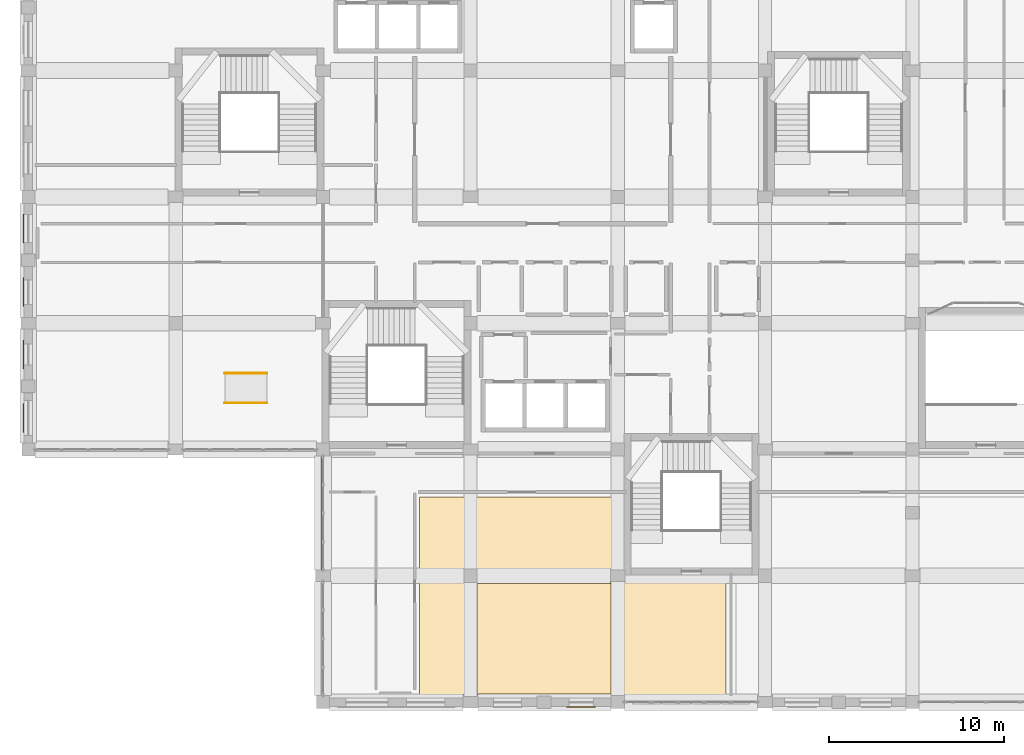
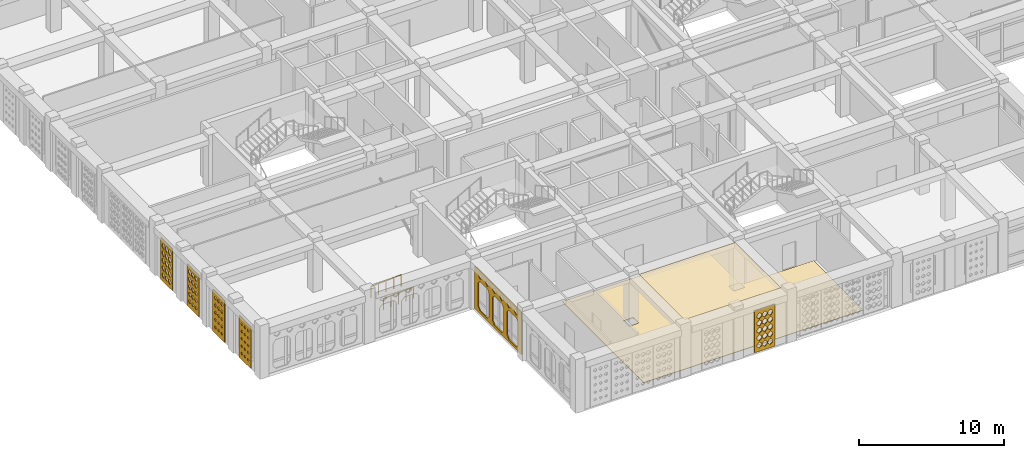
# One storey, part 91 of 121: 8 coverings, 2 railings.
"""IFC4 building model written with IfcOpenShell, lengths in metres."""

from ifc_helpers import new_model, si_unit, derived_unit, direction, frame, origin, origin_2d, place, context, subcontext, project, spatial, polyline, circle, outline, extrude, material, layer, layer_set, type_object, element, save


model = new_model("IFC4")

# Units and contexts
model_context = context("Model", 3, precision=1e-05, world=origin(), true_north=direction((0.0, 1.0)))
body_context = subcontext(model_context, "Body", "Model", "MODEL_VIEW")
ifc_project = project(units=[si_unit("LENGTHUNIT", "METRE"), si_unit("AREAUNIT", "SQUARE_METRE"), si_unit("VOLUMEUNIT", "CUBIC_METRE"), si_unit("PLANEANGLEUNIT", "RADIAN"), si_unit("MASSUNIT", "GRAM", prefix="KILO"), derived_unit("THERMALTRANSMITTANCEUNIT", [(si_unit("POWERUNIT", "WATT"), 1), (si_unit("LENGTHUNIT", "METRE"), -2), (si_unit("THERMODYNAMICTEMPERATUREUNIT", "KELVIN"), -1)])], contexts=[model_context])

# Site, building, storey
site_placement = place(None, origin())
site = spatial("IfcSite", under=ifc_project, at=site_placement, CompositionType="ELEMENT")
building_placement = place(site_placement, origin())
building = spatial("IfcBuilding", under=site, at=building_placement, Name="Veybourne Emporium", CompositionType="ELEMENT")
storey_placement = place(building_placement, frame((0.0, 0.0, 5.39990234375)))
storey = spatial("IfcBuildingStorey", under=building, at=storey_placement, Name="L01", CompositionType="ELEMENT", Elevation=5.39990234375)

# Coverings
ifc_material_1 = material(Name="Mineral Acoustic Ceiling", Category="gypsum")
ifc_layer_1 = layer(ifc_material_1, 0.02490234375)
ifc_layer_set_1 = layer_set([ifc_layer_1], Name="Mineral Acoustic Ceiling")
covering_type_1 = type_object("IfcCoveringType", Name="Ceiling_CLG-01", PredefinedType="CEILING", material=ifc_layer_set_1)
covering_1_placement = place(storey_placement, frame((0.0, 0.0, 4.155029296875)))
element("IfcCovering", 1, at=covering_1_placement, inside=storey, type_object=covering_type_1, Name="L01 coffered acoustic ceiling 01", PredefinedType="CEILING", context=body_context, shape_type="SweptSolid", body=[
    extrude(outline(polyline([(33.22705078125, 6.8701171875), (33.22705078125, 0.43994140625), (33.22509765625, 0.43994140625), (33.22509765625, 0.472900390625), (25.625, 0.472900390625), (25.625, 0.43994140625), (25.572998046875, 0.43994140625), (25.572998046875, 6.820068359375), (25.574951171875, 6.820068359375), (25.574951171875, 6.751953125), (33.175048828125, 6.751953125), (33.175048828125, 6.8701171875), (33.22705078125, 6.8701171875)])), origin(), (0.0, 0.0, 1.0), 0.025146484375),
])
ifc_material_2 = material(Name="Venetian Terrazzo Flooring", Category="masonry")
ifc_layer_2 = layer(ifc_material_2, 0.044921875)
ifc_layer_set_2 = layer_set([ifc_layer_2], Name="Venetian Terrazzo Flooring")
covering_type_2 = type_object("IfcCoveringType", Name="Flooring_FLR-01", PredefinedType="FLOORING", material=ifc_layer_set_2)
covering_2_placement = place(storey_placement, origin())
element("IfcCovering", 2, at=covering_2_placement, inside=storey, type_object=covering_type_2, Name="L01 floor finish 01", PredefinedType="FLOORING", context=body_context, shape_type="SweptSolid", body=[
    extrude(outline(polyline([(22.278564453125, 0.453369140625), (22.2861328125, 0.471435546875), (22.29150390625, 0.486083984375), (22.297119140625, 0.5048828125), (22.301025390625, 0.520263671875), (22.3046875, 0.53955078125), (22.30712890625, 0.554931640625), (22.30908203125, 0.574462890625), (22.309814453125, 0.590087890625), (22.31005859375, 0.60009765625), (22.31005859375, 11.68994140625), (33.989990234375, 11.68994140625), (33.989990234375, 7.64990234375), (33.990234375, 7.64013671875), (33.990966796875, 7.62451171875), (33.992919921875, 7.60498046875), (33.9951171875, 7.589599609375), (33.9990234375, 7.570068359375), (34.0029296875, 7.554931640625), (34.008544921875, 7.5361328125), (34.0107421875, 7.530029296875), (33.169921875, 7.530029296875), (33.169921875, 6.8701171875), (34.030029296875, 6.8701171875), (34.030029296875, 7.485595703125), (34.037353515625, 7.4716796875), (34.04541015625, 7.458251953125), (34.056396484375, 7.44189453125), (34.065673828125, 7.42919921875), (34.078125, 7.414306640625), (34.088623046875, 7.402587890625), (34.1025390625, 7.388671875), (34.1142578125, 7.378173828125), (34.12939453125, 7.36572265625), (34.141845703125, 7.3564453125), (34.158203125, 7.345458984375), (34.171875, 7.33740234375), (34.18896484375, 7.328125), (34.203369140625, 7.3212890625), (34.221435546875, 7.31396484375), (34.236083984375, 7.30859375), (34.2548828125, 7.302978515625), (34.270263671875, 7.299072265625), (34.28955078125, 7.295166015625), (34.304931640625, 7.29296875), (34.324462890625, 7.291015625), (34.340087890625, 7.290283203125), (34.35009765625, 7.2900390625), (39.771484375, 7.2900390625), (39.771484375, 0.43994140625), (22.2724609375, 0.43994140625), (22.278564453125, 0.453369140625)]), holes=[polyline([(25.580078125, 7.580078125), (24.820068359375, 7.580078125), (24.820068359375, 6.820068359375), (25.580078125, 6.820068359375), (25.580078125, 7.580078125)])]), origin(), (0.0, 0.0, 1.0), 0.045166015625),
])
ifc_material_3 = material(Name="Patinated Dark Bronze Fretwork", Category="bronze")
ifc_layer_3 = layer(ifc_material_3, 0.074951171875)
ifc_layer_set_3 = layer_set([ifc_layer_3], Name="Patinated Dark Bronze Fretwork")
covering_type_3 = type_object("IfcCoveringType", Name="Fretwork_FRT-02", PredefinedType="CLADDING", material=ifc_layer_set_3)
covering_3_placement = place(storey_placement, frame((16.69091796875, 10.77490234375, 1.815185546875), z_axis=(1.0, 0.0, 0.0), x_axis=(0.0, 1.0, 0.0)))
element("IfcCovering", 3, at=covering_3_placement, inside=storey, type_object=covering_type_3, Name="Corner entrance dark bronze lace fretwork portal L01-016", PredefinedType="CLADDING", context=body_context, shape_type="SweptSolid", body=[
    extrude(outline(polyline([(-3.22998046875, -1.77490234375), (3.22998046875, -1.77490234375), (3.22998046875, 1.77490234375), (-3.22998046875, 1.77490234375), (-3.22998046875, -1.77490234375)]), holes=[polyline([(-2.52197265625, 0.89501953125), (-1.464599609375, 0.89501953125), (-1.2158203125, 0.627685546875), (-1.2158203125, -1.267578125), (-1.464599609375, -1.534912109375), (-2.52197265625, -1.534912109375), (-2.770751953125, -1.267578125), (-2.770751953125, 0.627685546875), (-2.52197265625, 0.89501953125)]), polyline([(-0.528564453125, 0.89501953125), (0.528564453125, 0.89501953125), (0.77734375, 0.627685546875), (0.77734375, -1.267578125), (0.528564453125, -1.534912109375), (-0.528564453125, -1.534912109375), (-0.77734375, -1.267578125), (-0.77734375, 0.627685546875), (-0.528564453125, 0.89501953125)]), polyline([(1.464599609375, 0.89501953125), (2.52197265625, 0.89501953125), (2.770751953125, 0.627685546875), (2.770751953125, -1.267578125), (2.52197265625, -1.534912109375), (1.464599609375, -1.534912109375), (1.2158203125, -1.267578125), (1.2158203125, 0.627685546875), (1.464599609375, 0.89501953125)]), polyline([(-2.47509765625, 1.56298828125), (-2.195068359375, 1.3349609375), (-2.47509765625, 1.10693359375), (-2.7548828125, 1.3349609375), (-2.47509765625, 1.56298828125)]), polyline([(-1.485107421875, 1.56298828125), (-1.205078125, 1.3349609375), (-1.485107421875, 1.10693359375), (-1.764892578125, 1.3349609375), (-1.485107421875, 1.56298828125)]), polyline([(-0.4951171875, 1.56298828125), (-0.215087890625, 1.3349609375), (-0.4951171875, 1.10693359375), (-0.77490234375, 1.3349609375), (-0.4951171875, 1.56298828125)]), polyline([(0.4951171875, 1.56298828125), (0.77490234375, 1.3349609375), (0.4951171875, 1.10693359375), (0.215087890625, 1.3349609375), (0.4951171875, 1.56298828125)]), polyline([(1.485107421875, 1.56298828125), (1.764892578125, 1.3349609375), (1.485107421875, 1.10693359375), (1.205078125, 1.3349609375), (1.485107421875, 1.56298828125)]), polyline([(2.47509765625, 1.56298828125), (2.7548828125, 1.3349609375), (2.47509765625, 1.10693359375), (2.195068359375, 1.3349609375), (2.47509765625, 1.56298828125)])]), origin(), (0.0, 0.0, 1.0), 0.074951171875),
])

# Railings
ifc_material_4 = material(Name="Brushed Stainless Steel", Category="steel")
railing_type = type_object("IfcRailingType", Name="Handrail_HR-01", PredefinedType="HANDRAIL", material=ifc_material_4)
for number, where, name in (
    (4, (11.199951171875, 17.050048828125, 0.0), "Ramp RMP-04 handrail 1"),
    (5, (11.199951171875, 18.75, 0.0), "Ramp RMP-04 handrail 2"),
):
    element("IfcRailing", number, at=place(storey_placement, frame(where)), inside=storey, type_object=railing_type, Name=name, PredefinedType="HANDRAIL", context=body_context, shape_type="SweptSolid", body=[
        extrude(circle(Radius=0.02392578125, at=origin_2d()), frame((0.0, 0.0, 0.92578125), z_axis=(0.998750057719, 0.0, 0.049983219245), x_axis=(0.0, 1.0, 0.0)), (0.0, 0.0, 1.0), 2.403076171875),
        extrude(circle(Radius=0.02099609375, at=origin_2d()), origin(), (0.0, 0.0, 1.0), 0.90185546875),
        extrude(circle(Radius=0.02099609375, at=origin_2d()), frame((0.60009765625, 0.0, 0.030029296875)), (0.0, 0.0, 1.0), 0.90185546875),
        extrude(circle(Radius=0.02099609375, at=origin_2d()), frame((1.2001953125, 0.0, 0.06005859375)), (0.0, 0.0, 1.0), 0.90185546875),
        extrude(circle(Radius=0.02099609375, at=origin_2d()), frame((1.800048828125, 0.0, 0.090087890625)), (0.0, 0.0, 1.0), 0.90185546875),
        extrude(circle(Radius=0.02099609375, at=origin_2d()), frame((2.400146484375, 0.0, 0.1201171875)), (0.0, 0.0, 1.0), 0.90185546875),
    ])

# Coverings
ifc_material_5 = material(Name="Warm-White Perforated Aluminium Screen Alloy", Category="aluminium")
ifc_layer_4 = layer(ifc_material_5, 0.06005859375)
ifc_layer_set_4 = layer_set([ifc_layer_4], Name="Warm-White Perforated Aluminium Screen Alloy")
covering_type_4 = type_object("IfcCoveringType", Name="WaveScreen_SCR-01", PredefinedType="CLADDING", material=ifc_layer_set_4)
covering_4_placement = place(storey_placement, frame((-0.298095703125, 16.202392578125, 1.815185546875), z_axis=(1.0, 0.0, 0.0), x_axis=(0.0, 1.0, 0.0)))
element("IfcCovering", 6, at=covering_4_placement, inside=storey, type_object=covering_type_4, Name="L01 wave-perforated aluminium screen SCR-01 (2A.1)", PredefinedType="CLADDING", context=body_context, shape_type="SweptSolid", body=[
    extrude(outline(polyline([(-0.81982421875, -1.7548828125), (0.81982421875, -1.7548828125), (0.81982421875, 1.7548828125), (-0.81982421875, 1.7548828125), (-0.81982421875, -1.7548828125)]), holes=[polyline([(-0.433349609375, -1.115478515625), (-0.331298828125, -1.1875), (-0.331298828125, -1.2685546875), (-0.433349609375, -1.340576171875), (-0.535400390625, -1.2685546875), (-0.535400390625, -1.1875), (-0.433349609375, -1.115478515625)]), polyline([(-0.433349609375, -0.50390625), (-0.3330078125, -0.57421875), (-0.3330078125, -0.65380859375), (-0.433349609375, -0.72412109375), (-0.533447265625, -0.65380859375), (-0.533447265625, -0.57421875), (-0.433349609375, -0.50390625)]), polyline([(-0.433349609375, 0.1103515625), (-0.3330078125, 0.039794921875), (-0.3330078125, -0.039794921875), (-0.433349609375, -0.1103515625), (-0.53369140625, -0.039794921875), (-0.53369140625, 0.039794921875), (-0.433349609375, 0.1103515625)]), polyline([(-0.433349609375, 0.72705078125), (-0.330810546875, 0.65478515625), (-0.330810546875, 0.5732421875), (-0.433349609375, 0.5009765625), (-0.535888671875, 0.5732421875), (-0.535888671875, 0.65478515625), (-0.433349609375, 0.72705078125)]), polyline([(-0.433349609375, 1.345947265625), (-0.326904296875, 1.2705078125), (-0.326904296875, 1.185546875), (-0.433349609375, 1.110107421875), (-0.539794921875, 1.185546875), (-0.539794921875, 1.2705078125), (-0.433349609375, 1.345947265625)]), polyline([(0.0, -1.11669921875), (0.100830078125, -1.18798828125), (0.100830078125, -1.26806640625), (0.0, -1.339111328125), (-0.100830078125, -1.26806640625), (-0.100830078125, -1.18798828125), (0.0, -1.11669921875)]), polyline([(0.0, -0.50390625), (0.10009765625, -0.574462890625), (0.10009765625, -0.653564453125), (0.0, -0.72412109375), (-0.10009765625, -0.653564453125), (-0.10009765625, -0.574462890625), (0.0, -0.50390625)]), polyline([(0.0, 0.111328125), (0.10107421875, 0.0400390625), (0.10107421875, -0.0400390625), (0.0, -0.111328125), (-0.10107421875, -0.0400390625), (-0.10107421875, 0.0400390625), (0.0, 0.111328125)]), polyline([(0.0, 0.72900390625), (0.10400390625, 0.655517578125), (0.10400390625, 0.572509765625), (0.0, 0.4990234375), (-0.10400390625, 0.572509765625), (-0.10400390625, 0.655517578125), (0.0, 0.72900390625)]), polyline([(0.0, 1.348876953125), (0.10888671875, 1.271484375), (0.10888671875, 1.1845703125), (0.0, 1.107177734375), (-0.10888671875, 1.1845703125), (-0.10888671875, 1.271484375), (0.0, 1.348876953125)]), polyline([(0.433349609375, -1.11767578125), (0.53369140625, -1.188232421875), (0.53369140625, -1.267578125), (0.433349609375, -1.33837890625), (0.3330078125, -1.267578125), (0.3330078125, -1.188232421875), (0.433349609375, -1.11767578125)]), polyline([(0.433349609375, -0.503662109375), (0.53369140625, -0.57421875), (0.53369140625, -0.65380859375), (0.433349609375, -0.724365234375), (0.3330078125, -0.65380859375), (0.3330078125, -0.57421875), (0.433349609375, -0.503662109375)]), polyline([(0.433349609375, 0.112548828125), (0.535400390625, 0.04052734375), (0.535400390625, -0.04052734375), (0.433349609375, -0.112548828125), (0.331298828125, -0.04052734375), (0.331298828125, 0.04052734375), (0.433349609375, 0.112548828125)]), polyline([(0.433349609375, 0.7314453125), (0.539306640625, 0.65625), (0.539306640625, 0.57177734375), (0.433349609375, 0.49658203125), (0.327392578125, 0.57177734375), (0.327392578125, 0.65625), (0.433349609375, 0.7314453125)]), polyline([(0.433349609375, 1.352294921875), (0.544921875, 1.272705078125), (0.544921875, 1.18310546875), (0.433349609375, 1.103759765625), (0.321533203125, 1.18310546875), (0.321533203125, 1.272705078125), (0.433349609375, 1.352294921875)])]), origin(), (0.0, 0.0, 1.0), 0.06005859375),
])
covering_5_placement = place(storey_placement, frame((-0.298095703125, 19.822509765625, 1.815185546875), z_axis=(1.0, 0.0, 0.0), x_axis=(0.0, 1.0, 0.0)))
element("IfcCovering", 7, at=covering_5_placement, inside=storey, type_object=covering_type_4, Name="L01 wave-perforated aluminium screen SCR-01 (2B.1)", PredefinedType="CLADDING", context=body_context, shape_type="SweptSolid", body=[
    extrude(outline(polyline([(-0.81982421875, -1.7548828125), (0.81982421875, -1.7548828125), (0.81982421875, 1.7548828125), (-0.81982421875, 1.7548828125), (-0.81982421875, -1.7548828125)]), holes=[polyline([(-0.433349609375, -1.111328125), (-0.327880859375, -1.18603515625), (-0.327880859375, -1.27001953125), (-0.433349609375, -1.3447265625), (-0.538818359375, -1.27001953125), (-0.538818359375, -1.18603515625), (-0.433349609375, -1.111328125)]), polyline([(-0.433349609375, -0.490478515625), (-0.322509765625, -0.569580078125), (-0.322509765625, -0.658447265625), (-0.433349609375, -0.7373046875), (-0.544189453125, -0.658447265625), (-0.544189453125, -0.569580078125), (-0.433349609375, -0.490478515625)]), polyline([(-0.433349609375, 0.132080078125), (-0.315185546875, 0.047607421875), (-0.315185546875, -0.047607421875), (-0.433349609375, -0.132080078125), (-0.551513671875, -0.047607421875), (-0.551513671875, 0.047607421875), (-0.433349609375, 0.132080078125)]), polyline([(-0.433349609375, 0.756591796875), (-0.306640625, 0.665283203125), (-0.306640625, 0.562744140625), (-0.433349609375, 0.471435546875), (-0.56005859375, 0.562744140625), (-0.56005859375, 0.665283203125), (-0.433349609375, 0.756591796875)]), polyline([(-0.433349609375, 1.382568359375), (-0.296875, 1.28369140625), (-0.296875, 1.17236328125), (-0.433349609375, 1.073486328125), (-0.56982421875, 1.17236328125), (-0.56982421875, 1.28369140625), (-0.433349609375, 1.382568359375)]), polyline([(0.0, -1.1083984375), (0.107666015625, -1.18505859375), (0.107666015625, -1.27099609375), (0.0, -1.347412109375), (-0.107666015625, -1.27099609375), (-0.107666015625, -1.18505859375), (0.0, -1.1083984375)]), polyline([(0.0, -0.48681640625), (0.114013671875, -0.568115234375), (0.114013671875, -0.659912109375), (0.0, -0.7412109375), (-0.114013671875, -0.659912109375), (-0.114013671875, -0.568115234375), (0.0, -0.48681640625)]), polyline([(0.0, 0.13671875), (0.121826171875, 0.04931640625), (0.121826171875, -0.04931640625), (0.0, -0.13671875), (-0.121826171875, -0.04931640625), (-0.121826171875, 0.04931640625), (0.0, 0.13671875)]), polyline([(0.0, 0.761962890625), (0.131103515625, 0.667236328125), (0.131103515625, 0.560791015625), (0.0, 0.466064453125), (-0.131103515625, 0.560791015625), (-0.131103515625, 0.667236328125), (0.0, 0.761962890625)]), polyline([(0.0, 1.388427734375), (0.141357421875, 1.285888671875), (0.141357421875, 1.170166015625), (0.0, 1.067626953125), (-0.141357421875, 1.170166015625), (-0.141357421875, 1.285888671875), (0.0, 1.388427734375)]), polyline([(0.433349609375, -1.105224609375), (0.543701171875, -1.183837890625), (0.543701171875, -1.272216796875), (0.433349609375, -1.3505859375), (0.322998046875, -1.272216796875), (0.322998046875, -1.183837890625), (0.433349609375, -1.105224609375)]), polyline([(0.433349609375, -0.48291015625), (0.55078125, -0.56689453125), (0.55078125, -0.6611328125), (0.433349609375, -0.7451171875), (0.31591796875, -0.6611328125), (0.31591796875, -0.56689453125), (0.433349609375, -0.48291015625)]), polyline([(0.433349609375, 0.1416015625), (0.55908203125, 0.051025390625), (0.55908203125, -0.051025390625), (0.433349609375, -0.1416015625), (0.3076171875, -0.051025390625), (0.3076171875, 0.051025390625), (0.433349609375, 0.1416015625)]), polyline([(0.433349609375, 0.767333984375), (0.56884765625, 0.669189453125), (0.56884765625, 0.558837890625), (0.433349609375, 0.460693359375), (0.2978515625, 0.558837890625), (0.2978515625, 0.669189453125), (0.433349609375, 0.767333984375)]), polyline([(0.433349609375, 1.394287109375), (0.57958984375, 1.287841796875), (0.57958984375, 1.168212890625), (0.433349609375, 1.0615234375), (0.287109375, 1.168212890625), (0.287109375, 1.287841796875), (0.433349609375, 1.394287109375)])]), origin(), (0.0, 0.0, 1.0), 0.06005859375),
])
ifc_layer_5 = layer(ifc_material_5, 0.06005859375)
ifc_layer_set_5 = layer_set([ifc_layer_5], Name="Warm-White Perforated Aluminium Screen Alloy")
covering_type_5 = type_object("IfcCoveringType", Name="WaveScreen_SCR-02", PredefinedType="CLADDING", material=ifc_layer_set_5)
covering_6_placement = place(storey_placement, frame((-0.298095703125, 23.37744140625, 1.815185546875), z_axis=(1.0, 0.0, 0.0), x_axis=(0.0, 1.0, 0.0)))
element("IfcCovering", 8, at=covering_6_placement, inside=storey, type_object=covering_type_5, Name="L01 wave-perforated aluminium screen SCR-02 (3A.1)", PredefinedType="CLADDING", context=body_context, shape_type="SweptSolid", body=[
    extrude(outline(polyline([(-0.81982421875, -1.7548828125), (0.81982421875, -1.7548828125), (0.81982421875, 1.7548828125), (-0.81982421875, 1.7548828125), (-0.81982421875, -1.7548828125)]), holes=[polyline([(-0.433349609375, -1.076904296875), (-0.2998046875, -1.173583984375), (-0.2998046875, -1.282470703125), (-0.433349609375, -1.379150390625), (-0.56689453125, -1.282470703125), (-0.56689453125, -1.173583984375), (-0.433349609375, -1.076904296875)]), polyline([(-0.433349609375, -0.449951171875), (-0.289306640625, -0.554931640625), (-0.289306640625, -0.673095703125), (-0.433349609375, -0.778076171875), (-0.577392578125, -0.673095703125), (-0.577392578125, -0.554931640625), (-0.433349609375, -0.449951171875)]), polyline([(-0.433349609375, 0.177490234375), (-0.278076171875, 0.06396484375), (-0.278076171875, -0.06396484375), (-0.433349609375, -0.177490234375), (-0.588623046875, -0.06396484375), (-0.588623046875, 0.06396484375), (-0.433349609375, 0.177490234375)]), polyline([(-0.433349609375, 0.8056640625), (-0.2666015625, 0.68310546875), (-0.2666015625, 0.544921875), (-0.433349609375, 0.42236328125), (-0.60009765625, 0.544921875), (-0.60009765625, 0.68310546875), (-0.433349609375, 0.8056640625)]), polyline([(-0.433349609375, 1.433837890625), (-0.2548828125, 1.302001953125), (-0.2548828125, 1.15380859375), (-0.433349609375, 1.022216796875), (-0.61181640625, 1.15380859375), (-0.61181640625, 1.302001953125), (-0.433349609375, 1.433837890625)]), polyline([(0.0, -1.0712890625), (0.13818359375, -1.17138671875), (0.13818359375, -1.284423828125), (0.0, -1.384765625), (-0.13818359375, -1.284423828125), (-0.13818359375, -1.17138671875), (0.0, -1.0712890625)]), polyline([(0.0, -0.44384765625), (0.149169921875, -0.552734375), (0.149169921875, -0.67529296875), (0.0, -0.7841796875), (-0.149169921875, -0.67529296875), (-0.149169921875, -0.552734375), (0.0, -0.44384765625)]), polyline([(0.0, 0.18408203125), (0.160400390625, 0.066162109375), (0.160400390625, -0.066162109375), (0.0, -0.18408203125), (-0.160400390625, -0.066162109375), (-0.160400390625, 0.066162109375), (0.0, 0.18408203125)]), polyline([(0.0, 0.812255859375), (0.172119140625, 0.685302734375), (0.172119140625, 0.542724609375), (0.0, 0.415771484375), (-0.172119140625, 0.542724609375), (-0.172119140625, 0.685302734375), (0.0, 0.812255859375)]), polyline([(0.0, 1.440185546875), (0.18359375, 1.304443359375), (0.18359375, 1.151611328125), (0.0, 1.015869140625), (-0.18359375, 1.151611328125), (-0.18359375, 1.304443359375), (0.0, 1.440185546875)]), polyline([(0.433349609375, -1.065185546875), (0.576416015625, -1.16943359375), (0.576416015625, -1.28662109375), (0.433349609375, -1.390625), (0.290283203125, -1.28662109375), (0.290283203125, -1.16943359375), (0.433349609375, -1.065185546875)]), polyline([(0.433349609375, -0.437744140625), (0.587646484375, -0.550537109375), (0.587646484375, -0.677490234375), (0.433349609375, -0.790283203125), (0.279052734375, -0.677490234375), (0.279052734375, -0.550537109375), (0.433349609375, -0.437744140625)]), polyline([(0.433349609375, 0.1904296875), (0.59912109375, 0.068603515625), (0.59912109375, -0.068603515625), (0.433349609375, -0.1904296875), (0.267578125, -0.068603515625), (0.267578125, 0.068603515625), (0.433349609375, 0.1904296875)]), polyline([(0.433349609375, 0.818603515625), (0.610595703125, 0.6875), (0.610595703125, 0.540283203125), (0.433349609375, 0.409423828125), (0.256103515625, 0.540283203125), (0.256103515625, 0.6875), (0.433349609375, 0.818603515625)]), polyline([(0.433349609375, 1.4462890625), (0.61962890625, 1.306640625), (0.61962890625, 1.1494140625), (0.433349609375, 1.009765625), (0.2470703125, 1.1494140625), (0.2470703125, 1.306640625), (0.433349609375, 1.4462890625)])]), origin(), (0.0, 0.0, 1.0), 0.06005859375),
])
covering_7_placement = place(storey_placement, frame((-0.298095703125, 26.99755859375, 1.815185546875), z_axis=(1.0, 0.0, 0.0), x_axis=(0.0, 1.0, 0.0)))
element("IfcCovering", 9, at=covering_7_placement, inside=storey, type_object=covering_type_5, Name="L01 wave-perforated aluminium screen SCR-02 (3B.1)", PredefinedType="CLADDING", context=body_context, shape_type="SweptSolid", body=[
    extrude(outline(polyline([(-0.81982421875, -1.7548828125), (0.81982421875, -1.7548828125), (0.81982421875, 1.7548828125), (-0.81982421875, 1.7548828125), (-0.81982421875, -1.7548828125)]), holes=[polyline([(-0.433349609375, -1.025146484375), (-0.25732421875, -1.155029296875), (-0.25732421875, -1.301025390625), (-0.433349609375, -1.430908203125), (-0.609375, -1.301025390625), (-0.609375, -1.155029296875), (-0.433349609375, -1.025146484375)]), polyline([(-0.433349609375, -0.397216796875), (-0.2470703125, -0.535888671875), (-0.2470703125, -0.69189453125), (-0.433349609375, -0.830810546875), (-0.61962890625, -0.69189453125), (-0.61962890625, -0.535888671875), (-0.433349609375, -0.397216796875)]), polyline([(-0.433349609375, 0.22998046875), (-0.2470703125, 0.082763671875), (-0.2470703125, -0.082763671875), (-0.433349609375, -0.22998046875), (-0.61962890625, -0.082763671875), (-0.61962890625, 0.082763671875), (-0.433349609375, 0.22998046875)]), polyline([(-0.433349609375, 0.85595703125), (-0.2470703125, 0.701171875), (-0.2470703125, 0.52685546875), (-0.433349609375, 0.3720703125), (-0.61962890625, 0.52685546875), (-0.61962890625, 0.701171875), (-0.433349609375, 0.85595703125)]), polyline([(-0.433349609375, 1.48046875), (-0.2470703125, 1.31884765625), (-0.2470703125, 1.13720703125), (-0.433349609375, 0.9755859375), (-0.61962890625, 1.13720703125), (-0.61962890625, 1.31884765625), (-0.433349609375, 1.48046875)]), polyline([(0.0, -1.018798828125), (0.18115234375, -1.152587890625), (0.18115234375, -1.30322265625), (0.0, -1.437255859375), (-0.18115234375, -1.30322265625), (-0.18115234375, -1.152587890625), (0.0, -1.018798828125)]), polyline([(0.0, -0.39111328125), (0.186279296875, -0.53369140625), (0.186279296875, -0.694091796875), (0.0, -0.8369140625), (-0.186279296875, -0.694091796875), (-0.186279296875, -0.53369140625), (0.0, -0.39111328125)]), polyline([(0.0, 0.235595703125), (0.186279296875, 0.084716796875), (0.186279296875, -0.084716796875), (0.0, -0.235595703125), (-0.186279296875, -0.084716796875), (-0.186279296875, 0.084716796875), (0.0, 0.235595703125)]), polyline([(0.0, 0.86083984375), (0.186279296875, 0.702880859375), (0.186279296875, 0.525146484375), (0.0, 0.3671875), (-0.186279296875, 0.525146484375), (-0.186279296875, 0.702880859375), (0.0, 0.86083984375)]), polyline([(0.0, 1.484619140625), (0.186279296875, 1.3203125), (0.186279296875, 1.135498046875), (0.0, 0.97119140625), (-0.186279296875, 1.135498046875), (-0.186279296875, 1.3203125), (0.0, 1.484619140625)]), polyline([(0.433349609375, -1.012451171875), (0.61962890625, -1.150390625), (0.61962890625, -1.3056640625), (0.433349609375, -1.443603515625), (0.2470703125, -1.3056640625), (0.2470703125, -1.150390625), (0.433349609375, -1.012451171875)]), polyline([(0.433349609375, -0.38525390625), (0.61962890625, -0.53173828125), (0.61962890625, -0.6962890625), (0.433349609375, -0.8427734375), (0.2470703125, -0.6962890625), (0.2470703125, -0.53173828125), (0.433349609375, -0.38525390625)]), polyline([(0.433349609375, 0.240966796875), (0.61962890625, 0.086669921875), (0.61962890625, -0.086669921875), (0.433349609375, -0.240966796875), (0.2470703125, -0.086669921875), (0.2470703125, 0.086669921875), (0.433349609375, 0.240966796875)]), polyline([(0.433349609375, 0.865478515625), (0.61962890625, 0.70458984375), (0.61962890625, 0.5234375), (0.433349609375, 0.3623046875), (0.2470703125, 0.5234375), (0.2470703125, 0.70458984375), (0.433349609375, 0.865478515625)]), polyline([(0.433349609375, 1.488525390625), (0.61962890625, 1.32177734375), (0.61962890625, 1.13427734375), (0.433349609375, 0.96728515625), (0.2470703125, 1.13427734375), (0.2470703125, 1.32177734375), (0.433349609375, 1.488525390625)])]), origin(), (0.0, 0.0, 1.0), 0.06005859375),
])
covering_8_placement = place(storey_placement, frame((31.512451171875, -0.298095703125, 1.815185546875), z_axis=(0.0, 1.0, 0.0), x_axis=(-1.0, 0.0, 0.0)))
element("IfcCovering", 10, at=covering_8_placement, inside=storey, type_object=covering_type_5, Name="L01 wave-perforated aluminium screen SCR-02 (19A.1)", PredefinedType="CLADDING", context=body_context, shape_type="SweptSolid", body=[
    extrude(outline(polyline([(-0.81982421875, -1.7548828125), (0.81982421875, -1.7548828125), (0.81982421875, 1.7548828125), (-0.81982421875, 1.7548828125), (-0.81982421875, -1.7548828125)]), holes=[polyline([(-0.433349609375, -0.964111328125), (-0.2470703125, -1.133056640625), (-0.2470703125, -1.322998046875), (-0.433349609375, -1.491943359375), (-0.61962890625, -1.322998046875), (-0.61962890625, -1.133056640625), (-0.433349609375, -0.964111328125)]), polyline([(-0.433349609375, -0.35009765625), (-0.2470703125, -0.51904296875), (-0.2470703125, -0.708984375), (-0.433349609375, -0.8779296875), (-0.61962890625, -0.708984375), (-0.61962890625, -0.51904296875), (-0.433349609375, -0.35009765625)]), polyline([(-0.433349609375, 0.263916015625), (-0.2470703125, 0.094970703125), (-0.2470703125, -0.094970703125), (-0.433349609375, -0.263916015625), (-0.61962890625, -0.094970703125), (-0.61962890625, 0.094970703125), (-0.433349609375, 0.263916015625)]), polyline([(-0.433349609375, 0.8779296875), (-0.2470703125, 0.708984375), (-0.2470703125, 0.51904296875), (-0.433349609375, 0.35009765625), (-0.61962890625, 0.51904296875), (-0.61962890625, 0.708984375), (-0.433349609375, 0.8779296875)]), polyline([(-0.433349609375, 1.491943359375), (-0.2470703125, 1.322998046875), (-0.2470703125, 1.133056640625), (-0.433349609375, 0.964111328125), (-0.61962890625, 1.133056640625), (-0.61962890625, 1.322998046875), (-0.433349609375, 1.491943359375)]), polyline([(0.0, -0.96533203125), (0.186279296875, -1.13330078125), (0.186279296875, -1.322509765625), (0.0, -1.49072265625), (-0.186279296875, -1.322509765625), (-0.186279296875, -1.13330078125), (0.0, -0.96533203125)]), polyline([(0.0, -0.35009765625), (0.186279296875, -0.51904296875), (0.186279296875, -0.708984375), (0.0, -0.8779296875), (-0.186279296875, -0.708984375), (-0.186279296875, -0.51904296875), (0.0, -0.35009765625)]), polyline([(0.0, 0.263916015625), (0.186279296875, 0.094970703125), (0.186279296875, -0.094970703125), (0.0, -0.263916015625), (-0.186279296875, -0.094970703125), (-0.186279296875, 0.094970703125), (0.0, 0.263916015625)]), polyline([(0.0, 0.8779296875), (0.186279296875, 0.708984375), (0.186279296875, 0.51904296875), (0.0, 0.35009765625), (-0.186279296875, 0.51904296875), (-0.186279296875, 0.708984375), (0.0, 0.8779296875)]), polyline([(0.0, 1.491943359375), (0.186279296875, 1.322998046875), (0.186279296875, 1.133056640625), (0.0, 0.964111328125), (-0.186279296875, 1.133056640625), (-0.186279296875, 1.322998046875), (0.0, 1.491943359375)]), polyline([(0.433349609375, -0.968994140625), (0.61962890625, -1.134765625), (0.61962890625, -1.3212890625), (0.433349609375, -1.487060546875), (0.2470703125, -1.3212890625), (0.2470703125, -1.134765625), (0.433349609375, -0.968994140625)]), polyline([(0.433349609375, -0.35009765625), (0.61962890625, -0.51904296875), (0.61962890625, -0.708984375), (0.433349609375, -0.8779296875), (0.2470703125, -0.708984375), (0.2470703125, -0.51904296875), (0.433349609375, -0.35009765625)]), polyline([(0.433349609375, 0.263916015625), (0.61962890625, 0.094970703125), (0.61962890625, -0.094970703125), (0.433349609375, -0.263916015625), (0.2470703125, -0.094970703125), (0.2470703125, 0.094970703125), (0.433349609375, 0.263916015625)]), polyline([(0.433349609375, 0.8779296875), (0.61962890625, 0.708984375), (0.61962890625, 0.51904296875), (0.433349609375, 0.35009765625), (0.2470703125, 0.51904296875), (0.2470703125, 0.708984375), (0.433349609375, 0.8779296875)]), polyline([(0.433349609375, 1.491943359375), (0.61962890625, 1.322998046875), (0.61962890625, 1.133056640625), (0.433349609375, 0.964111328125), (0.2470703125, 1.133056640625), (0.2470703125, 1.322998046875), (0.433349609375, 1.491943359375)])]), origin(), (0.0, 0.0, 1.0), 0.06005859375),
])

save(model, "model.ifc")
